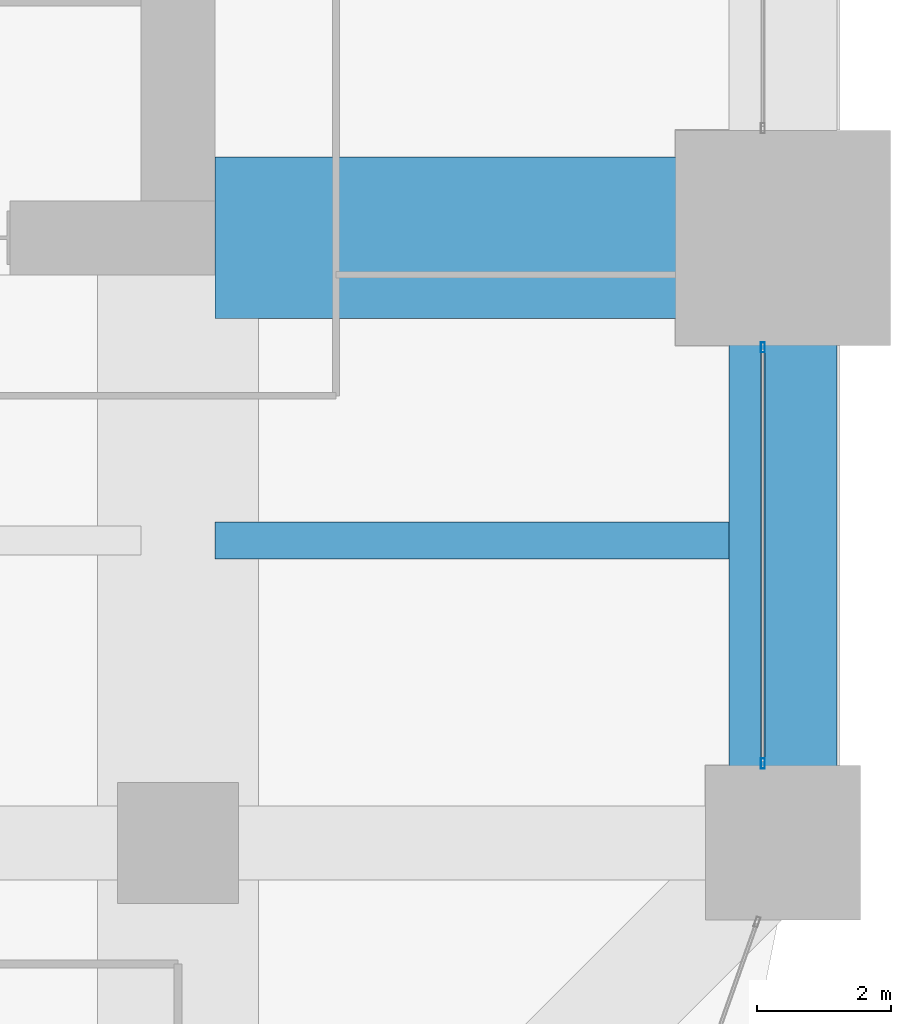
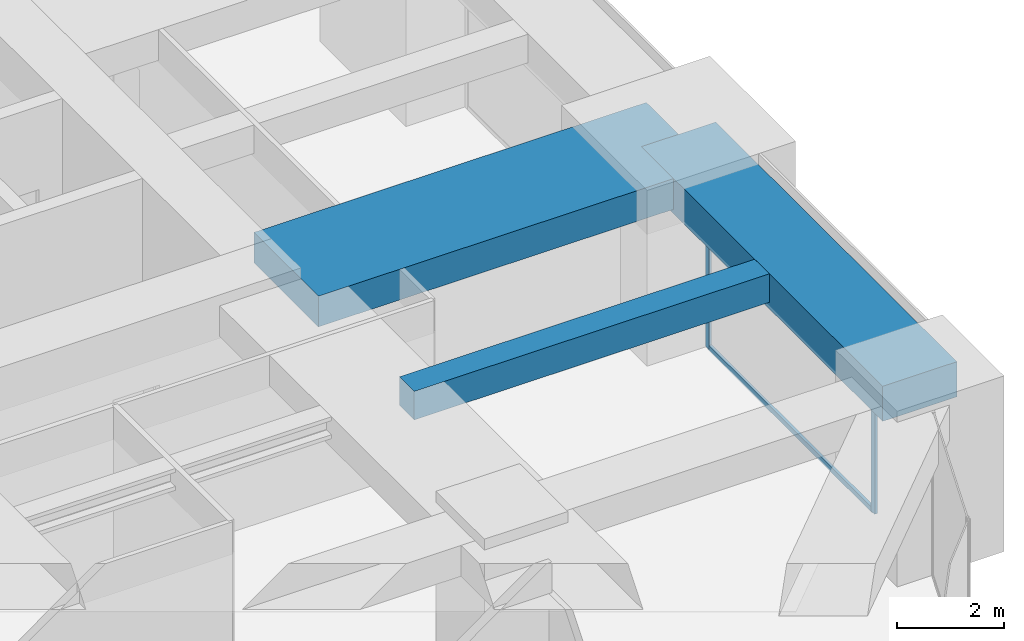
# One storey, part 18 of 36: 3 beams, 3 members, 1 element without a shape of its own.
"""IFC4 building model written with IfcOpenShell, lengths in metres."""

from ifc_helpers import new_model, si_unit, direction, frame, origin, origin_2d, place, context, subcontext, project, spatial, rectangle, hollow_rectangle, extrude, material, material_profile, profile_set, type_object, element, aggregate, save


model = new_model("IFC4")

# Units and contexts
model_context = context("Model", 3, precision=1e-05, world=origin(), true_north=direction((0.0, 1.0)))
body_context = subcontext(model_context, "Body", "Model", "MODEL_VIEW")
ifc_project = project(units=[si_unit("LENGTHUNIT", "METRE"), si_unit("AREAUNIT", "SQUARE_METRE"), si_unit("VOLUMEUNIT", "CUBIC_METRE"), si_unit("PLANEANGLEUNIT", "RADIAN"), si_unit("MASSUNIT", "GRAM", prefix="KILO")], contexts=[model_context])

# Site, building, storey
site_placement = place(None, origin())
site = spatial("IfcSite", under=ifc_project, at=site_placement, CompositionType="ELEMENT")
building_placement = place(site_placement, origin())
building = spatial("IfcBuilding", under=site, at=building_placement, Name="Zorevar Civic Tower", CompositionType="ELEMENT")
storey_placement = place(building_placement, frame((0.0, 0.0, 166.199951171875)))
storey = spatial("IfcBuildingStorey", under=building, at=storey_placement, Name="L40", CompositionType="ELEMENT", Elevation=166.199951171875)

# Beams
ifc_material_1 = material(Name="Concrete C50/60", Category="concrete")
ifc_material_profile_1 = material_profile(ifc_material_1, rectangle(XDim=2.39990234375, YDim=0.699951171875, at=origin_2d()), Name="RC 2400x700")
ifc_profile_set_1 = profile_set([ifc_material_profile_1], Name="Concrete C50/60")
beam_type_1 = type_object("IfcBeamType", Name="Beam RC 2400x700", PredefinedType="BEAM", material=ifc_profile_set_1)
beam_1_placement = place(storey_placement, frame((45.550048828125, 18.0, 3.400146484375), z_axis=(1.0, 0.0, 0.0), x_axis=(0.0, 1.0, 0.0)))
element("IfcBeam", 1, at=beam_1_placement, inside=storey, type_object=beam_type_1, Name="Girder L41", PredefinedType="BEAM", context=body_context, shape_type="SweptSolid", body=[
    extrude(rectangle(XDim=2.39990234375, YDim=0.699951171875, at=origin_2d()), origin(), (0.0, 0.0, 1.0), 8.449951171875),
])
ifc_material_2 = material(Name="Concrete C50/60", Category="concrete")
ifc_material_profile_2 = material_profile(ifc_material_2, rectangle(XDim=0.550048828125, YDim=0.64990234375, at=origin_2d()), Name="RC 550x650")
ifc_profile_set_2 = profile_set([ifc_material_profile_2], Name="Concrete C50/60")
beam_type_2 = type_object("IfcBeamType", Name="Beam RC 550x650", PredefinedType="BEAM", material=ifc_profile_set_2)
beam_2_placement = place(storey_placement, frame((45.550048828125, 13.5, 3.425048828125), z_axis=(1.0, 0.0, 0.0), x_axis=(0.0, 1.0, 0.0)))
element("IfcBeam", 2, at=beam_2_placement, inside=storey, type_object=beam_type_2, Name="Secondary beam L41", PredefinedType="BEAM", context=body_context, shape_type="SweptSolid", body=[
    extrude(rectangle(XDim=0.550048828125, YDim=0.64990234375, at=origin_2d()), origin(), (0.0, 0.0, 1.0), 7.64990234375),
])

# Curtain wall, members
ifc_material_3 = material(Name="Dark grey solar-control glass in black aluminium frame", Category="aluminium")
curtain_wall_type = type_object("IfcCurtainWallType", Name="Curtain wall CW4 high zone", PredefinedType="NOTDEFINED", material=ifc_material_3)
curtain_wall_placement = place(storey_placement, origin())
curtain_wall = element("IfcCurtainWall", 3, at=curtain_wall_placement, inside=storey, type_object=curtain_wall_type, Name="CW4 L40", PredefinedType="NOTDEFINED")
ifc_material_4 = material(Name="Aluminium, black anodised", Category="aluminium")
ifc_material_profile_3 = material_profile(ifc_material_4, hollow_rectangle(XDim=0.06005859375, YDim=0.14990234375, WallThickness=0.00390625, at=origin_2d()), Name="AL 150x60x4")
ifc_profile_set_3 = profile_set([ifc_material_profile_3], Name="Aluminium, black anodised")
member_type_1 = type_object("IfcMemberType", Name="CW4 mullion AL 150x60x4", PredefinedType="MULLION", material=ifc_profile_set_3)
member_1_placement = place(storey_placement, frame((53.699951171875, 10.179931640625, 0.0), z_axis=(0.0, 0.0, 1.0), x_axis=(-1.0, 0.0, 0.0)))
member_1 = element("IfcMember", 4, at=member_1_placement, type_object=member_type_1, Name="CW4 mullion 1", PredefinedType="MULLION", context=body_context, shape_type="SweptSolid", body=[
    extrude(hollow_rectangle(XDim=0.06005859375, YDim=0.14990234375, WallThickness=0.00390625, at=origin_2d()), origin(), (0.0, 0.0, 1.0), 2.949951171875),
])
member_2_placement = place(storey_placement, frame((53.699951171875, 16.3701171875, 0.0), z_axis=(0.0, 0.0, 1.0), x_axis=(-1.0, 0.0, 0.0)))
member_2 = element("IfcMember", 5, at=member_2_placement, type_object=member_type_1, Name="CW4 mullion 2", PredefinedType="MULLION", context=body_context, shape_type="SweptSolid", body=[
    extrude(hollow_rectangle(XDim=0.06005859375, YDim=0.14990234375, WallThickness=0.00390625, at=origin_2d()), origin(), (0.0, 0.0, 1.0), 2.949951171875),
])
ifc_material_5 = material(Name="Aluminium, black anodised", Category="aluminium")
ifc_material_profile_4 = material_profile(ifc_material_5, hollow_rectangle(XDim=0.06005859375, YDim=0.1201171875, WallThickness=0.0029296875, at=origin_2d()), Name="AL 120x60x3")
ifc_profile_set_4 = profile_set([ifc_material_profile_4], Name="Aluminium, black anodised")
member_type_2 = type_object("IfcMemberType", Name="CW4 transom AL 120x60x3", PredefinedType="USERDEFINED", material=ifc_profile_set_4)
member_3_placement = place(storey_placement, frame((53.699951171875, 10.2099609375, 0.030029296875), z_axis=(0.0, 1.0, 0.0), x_axis=(-1.0, 0.0, 0.0)))
member_3 = element("IfcMember", 6, at=member_3_placement, type_object=member_type_2, Name="CW4 sill transom", ObjectType="TRANSOM", PredefinedType="USERDEFINED", context=body_context, shape_type="SweptSolid", body=[
    extrude(hollow_rectangle(XDim=0.06005859375, YDim=0.1201171875, WallThickness=0.0029296875, at=origin_2d()), origin(), (0.0, 0.0, 1.0), 6.130126953125),
])
aggregate(curtain_wall, [member_1, member_2, member_3])

# Beam
ifc_material_6 = material(Name="Concrete C50/60", Category="concrete")
ifc_material_profile_5 = material_profile(ifc_material_6, rectangle(XDim=1.60009765625, YDim=0.800048828125, at=origin_2d()), Name="RC 1600x800")
ifc_profile_set_5 = profile_set([ifc_material_profile_5], Name="Concrete C50/60")
beam_type_3 = type_object("IfcBeamType", Name="Edge beam RC 1600x800", PredefinedType="SPANDREL", material=ifc_profile_set_5)
beam_3_placement = place(storey_placement, frame((54.0, 9.0, 3.35009765625), z_axis=(0.0, 1.0, 0.0), x_axis=(-1.0, 0.0, 0.0)))
element("IfcBeam", 7, at=beam_3_placement, inside=storey, type_object=beam_type_3, Name="Edge beam L41", PredefinedType="SPANDREL", context=body_context, shape_type="SweptSolid", body=[
    extrude(rectangle(XDim=1.60009765625, YDim=0.800048828125, at=origin_2d()), origin(), (0.0, 0.0, 1.0), 9.0),
])

save(model, "model.ifc")
